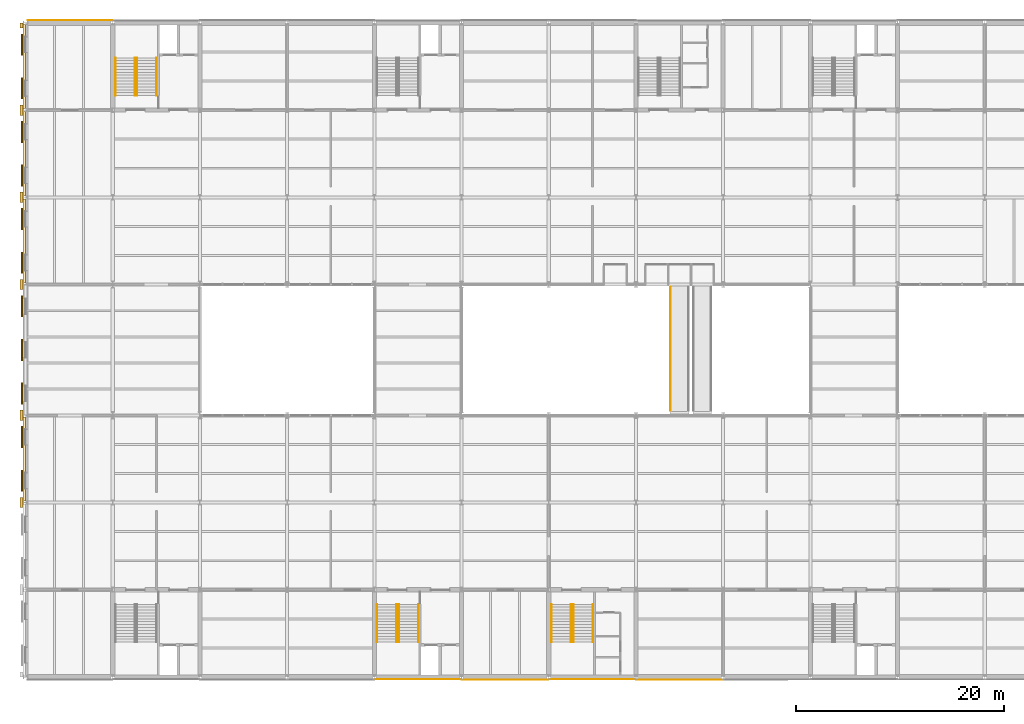
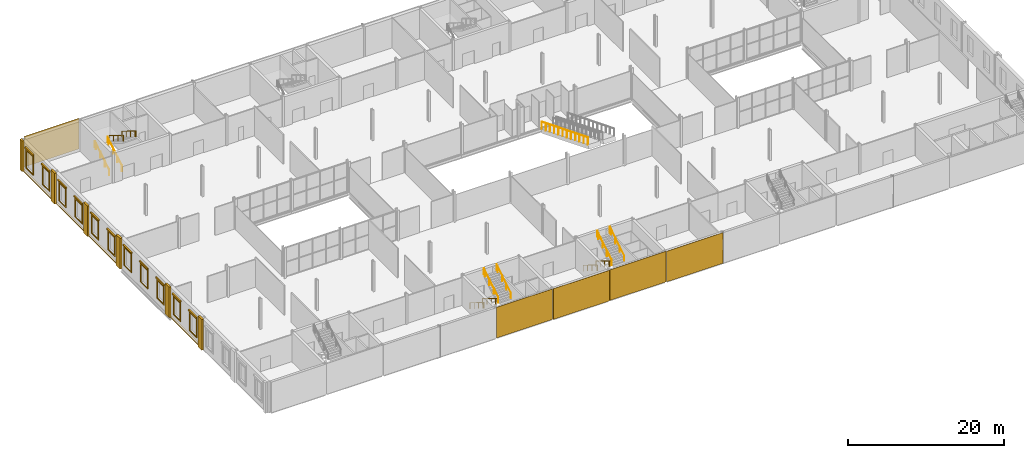
# One storey, part 39 of 52: 37 coverings, 13 railings.
"""IFC4 building model written with IfcOpenShell, lengths in metres."""

from ifc_helpers import new_model, si_unit, direction, frame, origin, origin_2d, place, context, subcontext, project, spatial, polyline, rectangle, circle, outline, extrude, material, layer, layer_set, type_object, element, save


model = new_model("IFC4")

# Units and contexts
model_context = context("Model", 3, precision=1e-05, world=origin(), true_north=direction((0.0, 1.0)))
body_context = subcontext(model_context, "Body", "Model", "MODEL_VIEW")
ifc_project = project(units=[si_unit("LENGTHUNIT", "METRE"), si_unit("AREAUNIT", "SQUARE_METRE"), si_unit("VOLUMEUNIT", "CUBIC_METRE"), si_unit("PLANEANGLEUNIT", "RADIAN"), si_unit("MASSUNIT", "GRAM", prefix="KILO")], contexts=[model_context])

# Site, building, storey
site_placement = place(None, origin())
site = spatial("IfcSite", under=ifc_project, at=site_placement, CompositionType="ELEMENT")
building_placement = place(site_placement, origin())
building = spatial("IfcBuilding", under=site, at=building_placement, Name="Galleria Vessillo Department Store", CompositionType="ELEMENT")
storey_placement = place(building_placement, frame((0.0, 0.0, 16.199951171875)))
storey = spatial("IfcBuildingStorey", under=building, at=storey_placement, Name="L03", CompositionType="ELEMENT", Elevation=16.199951171875)

# Railing
ifc_material_1 = material(Name="Glass laminated 44.2", Category="glass")
railing_type_1 = type_object("IfcRailingType", Name="Escalator balustrade glass 1150 mm", PredefinedType="BALUSTRADE", material=ifc_material_1)
railing_placement = place(storey_placement, frame((62.14990234375, 37.55712890625, -0.124755859375)))
element("IfcRailing", 1, at=railing_placement, inside=storey, type_object=railing_type_1, Name="Escalator balustrade ES7 W", PredefinedType="BALUSTRADE", context=body_context, shape_type="SweptSolid", body=[
    extrude(circle(Radius=0.02392578125, at=origin_2d()), frame((0.0, 0.0, 1.1259765625), z_axis=(0.0, -0.928203066198, 0.372074008633), x_axis=(1.0, 0.0, 0.0)), (0.0, 0.0, 1.0), 12.810791015625),
    extrude(circle(Radius=0.02099609375, at=origin_2d()), origin(), (0.0, 0.0, 1.0), 1.101806640625),
    extrude(circle(Radius=0.02099609375, at=origin_2d()), frame((0.0, -1.0810546875, 0.433349609375)), (0.0, 0.0, 1.0), 1.101806640625),
    extrude(circle(Radius=0.02099609375, at=origin_2d()), frame((0.0, -2.162109375, 0.86669921875)), (0.0, 0.0, 1.0), 1.101806640625),
    extrude(circle(Radius=0.02099609375, at=origin_2d()), frame((0.0, -3.242919921875, 1.300048828125)), (0.0, 0.0, 1.0), 1.101806640625),
    extrude(circle(Radius=0.02099609375, at=origin_2d()), frame((0.0, -4.323974609375, 1.7333984375)), (0.0, 0.0, 1.0), 1.101806640625),
    extrude(circle(Radius=0.02099609375, at=origin_2d()), frame((0.0, -5.405029296875, 2.166748046875)), (0.0, 0.0, 1.0), 1.101806640625),
    extrude(circle(Radius=0.02099609375, at=origin_2d()), frame((0.0, -6.486083984375, 2.599853515625)), (0.0, 0.0, 1.0), 1.101806640625),
    extrude(circle(Radius=0.02099609375, at=origin_2d()), frame((0.0, -7.567138671875, 3.033203125)), (0.0, 0.0, 1.0), 1.101806640625),
    extrude(circle(Radius=0.02099609375, at=origin_2d()), frame((0.0, -8.648193359375, 3.466552734375)), (0.0, 0.0, 1.0), 1.101806640625),
    extrude(circle(Radius=0.02099609375, at=origin_2d()), frame((0.0, -9.72900390625, 3.89990234375)), (0.0, 0.0, 1.0), 1.101806640625),
    extrude(circle(Radius=0.02099609375, at=origin_2d()), frame((0.0, -10.81005859375, 4.333251953125)), (0.0, 0.0, 1.0), 1.101806640625),
    extrude(circle(Radius=0.02099609375, at=origin_2d()), frame((0.0, -11.89111328125, 4.7666015625)), (0.0, 0.0, 1.0), 1.101806640625),
])

# Coverings
ifc_material_2 = material(Name="Lime plaster (intonaco) ochre")
ifc_layer_1 = layer(ifc_material_2, 0.030029296875)
ifc_layer_set_1 = layer_set([ifc_layer_1], Name="Lime plaster (intonaco) ochre")
covering_type_1 = type_object("IfcCoveringType", Name="Lime plaster render 30 mm", PredefinedType="CLADDING", material=ifc_layer_set_1)
covering_1_placement = place(storey_placement, frame((37.800048828125, -0.215087890625, 0.0), z_axis=(0.0, 0.0, 1.0), x_axis=(1.0, 0.0, 0.0)))
element("IfcCovering", 2, at=covering_1_placement, inside=storey, type_object=covering_type_1, Name="Wall cladding S-CW-PC-SM-PARTY-L03", PredefinedType="CLADDING", context=body_context, shape_type="SweptSolid", body=[
    extrude(rectangle(XDim=8.33984375, YDim=0.030029296875, at=origin_2d()), origin(), (0.0, 0.0, 1.0), 4.800048828125),
])
for number, where, z_axis, x_axis, name in (
    (3, (46.199951171875, -0.264892578125, 0.0), (0.0, 0.0, 1.0), (1.0, 0.0, 0.0), "Wall cladding S-PS-L03-04"),
    (4, (54.599853515625, -0.215087890625, 0.0), (0.0, 0.0, 1.0), (1.0, 0.0, 0.0), "Wall cladding S-CW-PC-SC-PARTY-L03"),
    (5, (63.0, -0.264892578125, 0.0), (0.0, 0.0, 1.0), (1.0, 0.0, 0.0), "Wall cladding S-PS-L03-05"),
):
    element("IfcCovering", number, at=place(storey_placement, frame(where, z_axis=z_axis, x_axis=x_axis)), inside=storey, type_object=covering_type_1, Name=name, PredefinedType="CLADDING", context=body_context, shape_type="SweptSolid", body=[
        extrude(rectangle(XDim=8.340087890625, YDim=0.030029296875, at=origin_2d()), origin(), (0.0, 0.0, 1.0), 4.800048828125),
    ])
covering_2_placement = place(storey_placement, frame((4.284912109375, 63.264892578125, 0.0), z_axis=(0.0, 0.0, 1.0), x_axis=(1.0, 0.0, 0.0)))
element("IfcCovering", 6, at=covering_2_placement, inside=storey, type_object=covering_type_1, Name="Wall cladding S-PN-L03-01", PredefinedType="CLADDING", context=body_context, shape_type="SweptSolid", body=[
    extrude(rectangle(XDim=8.170166015625, YDim=0.030029296875, at=origin_2d()), origin(), (0.0, 0.0, 1.0), 4.800048828125),
])
ifc_material_3 = material(Name="Botticino limestone ashlar", Category="masonry")
ifc_layer_2 = layer(ifc_material_3, 0.280029296875)
ifc_layer_set_2 = layer_set([ifc_layer_2], Name="Botticino limestone ashlar")
covering_type_2 = type_object("IfcCoveringType", Name="Limestone giant pilaster 1000 x 280", PredefinedType="CLADDING", material=ifc_layer_set_2)
for number, where, z_axis, x_axis, name in (
    (7, (-0.389892578125, 16.800048828125, 0.0), (0.0, 0.0, 1.0), (1.0, 0.0, 0.0), "Giant pilaster W L03 y=16.8"),
    (8, (-0.389892578125, 25.199951171875, 0.0), (0.0, 0.0, 1.0), (1.0, 0.0, 0.0), "Giant pilaster W L03 y=25.2"),
    (9, (-0.389892578125, 37.800048828125, 0.0), (0.0, 0.0, 1.0), (1.0, 0.0, 0.0), "Giant pilaster W L03 y=37.8"),
    (10, (-0.389892578125, 46.199951171875, 0.0), (0.0, 0.0, 1.0), (1.0, 0.0, 0.0), "Giant pilaster W L03 y=46.2"),
    (11, (-0.389892578125, 54.60009765625, 0.0), (0.0, 0.0, 1.0), (1.0, 0.0, 0.0), "Giant pilaster W L03 y=54.6"),
):
    element("IfcCovering", number, at=place(storey_placement, frame(where, z_axis=z_axis, x_axis=x_axis)), inside=storey, type_object=covering_type_2, Name=name, PredefinedType="CLADDING", context=body_context, shape_type="SweptSolid", body=[
        extrude(rectangle(XDim=0.280029296875, YDim=1.0, at=origin_2d()), origin(), (0.0, 0.0, 1.0), 4.800048828125),
    ])
covering_3_placement = place(storey_placement, frame((-0.389892578125, 62.75, 0.0), z_axis=(0.0, 0.0, 1.0), x_axis=(1.0, 0.0, 0.0)))
element("IfcCovering", 12, at=covering_3_placement, inside=storey, type_object=covering_type_2, Name="Giant pilaster W L03 y=63.0", PredefinedType="CLADDING", context=body_context, shape_type="SweptSolid", body=[
    extrude(rectangle(XDim=0.280029296875, YDim=0.5, at=origin_2d()), origin(), (0.0, 0.0, 1.0), 4.800048828125),
])
ifc_material_4 = material(Name="Botticino limestone ashlar", Category="masonry")
ifc_layer_3 = layer(ifc_material_4, 0.14990234375)
ifc_layer_set_3 = layer_set([ifc_layer_3], Name="Botticino limestone ashlar")
covering_type_3 = type_object("IfcCoveringType", Name="Limestone slab-edge fascia 150 mm", PredefinedType="CLADDING", material=ifc_layer_set_3)
for number, where, z_axis, x_axis, name in (
    (13, (-0.125, 21.0, -0.14990234375), (0.0, 0.0, 1.0), (1.0, 0.0, 0.0), "Slab-edge fascia SW-L02-03"),
    (14, (-0.125, 42.0, -0.14990234375), (0.0, 0.0, 1.0), (1.0, 0.0, 0.0), "Slab-edge fascia SW-N-L02-01"),
):
    element("IfcCovering", number, at=place(storey_placement, frame(where, z_axis=z_axis, x_axis=x_axis)), inside=storey, type_object=covering_type_3, Name=name, PredefinedType="CLADDING", context=body_context, shape_type="SweptSolid", body=[
        extrude(rectangle(XDim=0.25, YDim=8.099853515625, at=origin_2d()), origin(), (0.0, 0.0, 1.0), 0.14990234375),
    ])
covering_4_placement = place(storey_placement, frame((-0.125, 50.39990234375, -0.14990234375), z_axis=(0.0, 0.0, 1.0), x_axis=(1.0, 0.0, 0.0)))
element("IfcCovering", 15, at=covering_4_placement, inside=storey, type_object=covering_type_3, Name="Slab-edge fascia SW-N-L02-02", PredefinedType="CLADDING", context=body_context, shape_type="SweptSolid", body=[
    extrude(rectangle(XDim=0.25, YDim=8.10009765625, at=origin_2d()), origin(), (0.0, 0.0, 1.0), 0.14990234375),
])
covering_5_placement = place(storey_placement, frame((-0.125, 58.800048828125, -0.14990234375), z_axis=(0.0, 0.0, 1.0), x_axis=(1.0, 0.0, 0.0)))
element("IfcCovering", 16, at=covering_5_placement, inside=storey, type_object=covering_type_3, Name="Slab-edge fascia SW-N-L02-03", PredefinedType="CLADDING", context=body_context, shape_type="SweptSolid", body=[
    extrude(rectangle(XDim=0.25, YDim=8.099853515625, at=origin_2d()), origin(), (0.0, 0.0, 1.0), 0.14990234375),
])
ifc_material_5 = material(Name="Botticino limestone ashlar", Category="masonry")
ifc_layer_4 = layer(ifc_material_5, 0.199951171875)
ifc_layer_set_4 = layer_set([ifc_layer_4], Name="Botticino limestone ashlar")
covering_type_4 = type_object("IfcCoveringType", Name="Limestone window hood 200 mm", PredefinedType="MOLDING", material=ifc_layer_set_4)
covering_6_placement = place(storey_placement, frame((-0.25, 0.0, 1.0), z_axis=(-1.0, 0.0, 0.0), x_axis=(0.0, -1.0, 0.0)))
element("IfcCovering", 17, at=covering_6_placement, inside=storey, type_object=covering_type_4, Name="Window hood W017", PredefinedType="MOLDING", context=body_context, shape_type="SweptSolid", body=[
    extrude(outline(polyline([(-17.849853515625, 3.199951171875), (-19.949951171875, 3.199951171875), (-19.949951171875, 2.97998046875), (-17.849853515625, 2.97998046875), (-17.849853515625, 3.199951171875)])), origin(), (0.0, 0.0, 1.0), 0.199951171875),
])
covering_7_placement = place(storey_placement, frame((-0.25, 0.0, 1.0), z_axis=(-1.0, 0.0, 0.0), x_axis=(0.0, -1.0, 0.0)))
element("IfcCovering", 18, at=covering_7_placement, inside=storey, type_object=covering_type_4, Name="Window hood W018", PredefinedType="MOLDING", context=body_context, shape_type="SweptSolid", body=[
    extrude(outline(polyline([(-22.050048828125, 3.199951171875), (-24.150146484375, 3.199951171875), (-24.150146484375, 2.97998046875), (-22.050048828125, 2.97998046875), (-22.050048828125, 3.199951171875)])), origin(), (0.0, 0.0, 1.0), 0.199951171875),
])
covering_8_placement = place(storey_placement, frame((-0.25, 0.0, 1.0), z_axis=(-1.0, 0.0, 0.0), x_axis=(0.0, -1.0, 0.0)))
element("IfcCovering", 19, at=covering_8_placement, inside=storey, type_object=covering_type_4, Name="Window hood W019", PredefinedType="MOLDING", context=body_context, shape_type="SweptSolid", body=[
    extrude(outline(polyline([(-26.25, 3.199951171875), (-28.35009765625, 3.199951171875), (-28.35009765625, 2.97998046875), (-26.25, 2.97998046875), (-26.25, 3.199951171875)])), origin(), (0.0, 0.0, 1.0), 0.199951171875),
])
covering_9_placement = place(storey_placement, frame((-0.25, 0.0, 1.0), z_axis=(-1.0, 0.0, 0.0), x_axis=(0.0, -1.0, 0.0)))
element("IfcCovering", 20, at=covering_9_placement, inside=storey, type_object=covering_type_4, Name="Window hood W020", PredefinedType="MOLDING", context=body_context, shape_type="SweptSolid", body=[
    extrude(outline(polyline([(-30.449951171875, 3.199951171875), (-32.550048828125, 3.199951171875), (-32.550048828125, 2.97998046875), (-30.449951171875, 2.97998046875), (-30.449951171875, 3.199951171875)])), origin(), (0.0, 0.0, 1.0), 0.199951171875),
])
covering_10_placement = place(storey_placement, frame((-0.25, 0.0, 1.0), z_axis=(-1.0, 0.0, 0.0), x_axis=(0.0, -1.0, 0.0)))
element("IfcCovering", 21, at=covering_10_placement, inside=storey, type_object=covering_type_4, Name="Window hood W021", PredefinedType="MOLDING", context=body_context, shape_type="SweptSolid", body=[
    extrude(outline(polyline([(-34.64990234375, 3.199951171875), (-36.75, 3.199951171875), (-36.75, 2.97998046875), (-34.64990234375, 2.97998046875), (-34.64990234375, 3.199951171875)])), origin(), (0.0, 0.0, 1.0), 0.199951171875),
])
covering_11_placement = place(storey_placement, frame((-0.25, 0.0, 1.0), z_axis=(-1.0, 0.0, 0.0), x_axis=(0.0, -1.0, 0.0)))
element("IfcCovering", 22, at=covering_11_placement, inside=storey, type_object=covering_type_4, Name="Window hood W022", PredefinedType="MOLDING", context=body_context, shape_type="SweptSolid", body=[
    extrude(outline(polyline([(-38.849853515625, 3.199951171875), (-40.949951171875, 3.199951171875), (-40.949951171875, 2.97998046875), (-38.849853515625, 2.97998046875), (-38.849853515625, 3.199951171875)])), origin(), (0.0, 0.0, 1.0), 0.199951171875),
])
covering_12_placement = place(storey_placement, frame((-0.25, 0.0, 1.0), z_axis=(-1.0, 0.0, 0.0), x_axis=(0.0, -1.0, 0.0)))
element("IfcCovering", 23, at=covering_12_placement, inside=storey, type_object=covering_type_4, Name="Window hood W023", PredefinedType="MOLDING", context=body_context, shape_type="SweptSolid", body=[
    extrude(outline(polyline([(-43.050048828125, 3.199951171875), (-45.150146484375, 3.199951171875), (-45.150146484375, 2.97998046875), (-43.050048828125, 2.97998046875), (-43.050048828125, 3.199951171875)])), origin(), (0.0, 0.0, 1.0), 0.199951171875),
])
covering_13_placement = place(storey_placement, frame((-0.25, 0.0, 1.0), z_axis=(-1.0, 0.0, 0.0), x_axis=(0.0, -1.0, 0.0)))
element("IfcCovering", 24, at=covering_13_placement, inside=storey, type_object=covering_type_4, Name="Window hood W024", PredefinedType="MOLDING", context=body_context, shape_type="SweptSolid", body=[
    extrude(outline(polyline([(-47.25, 3.199951171875), (-49.35009765625, 3.199951171875), (-49.35009765625, 2.97998046875), (-47.25, 2.97998046875), (-47.25, 3.199951171875)])), origin(), (0.0, 0.0, 1.0), 0.199951171875),
])
covering_14_placement = place(storey_placement, frame((-0.25, 0.0, 1.0), z_axis=(-1.0, 0.0, 0.0), x_axis=(0.0, -1.0, 0.0)))
element("IfcCovering", 25, at=covering_14_placement, inside=storey, type_object=covering_type_4, Name="Window hood W025", PredefinedType="MOLDING", context=body_context, shape_type="SweptSolid", body=[
    extrude(outline(polyline([(-51.449951171875, 3.199951171875), (-53.550048828125, 3.199951171875), (-53.550048828125, 2.97998046875), (-51.449951171875, 2.97998046875), (-51.449951171875, 3.199951171875)])), origin(), (0.0, 0.0, 1.0), 0.199951171875),
])
covering_15_placement = place(storey_placement, frame((-0.25, 0.0, 1.0), z_axis=(-1.0, 0.0, 0.0), x_axis=(0.0, -1.0, 0.0)))
element("IfcCovering", 26, at=covering_15_placement, inside=storey, type_object=covering_type_4, Name="Window hood W026", PredefinedType="MOLDING", context=body_context, shape_type="SweptSolid", body=[
    extrude(outline(polyline([(-55.64990234375, 3.199951171875), (-57.75, 3.199951171875), (-57.75, 2.97998046875), (-55.64990234375, 2.97998046875), (-55.64990234375, 3.199951171875)])), origin(), (0.0, 0.0, 1.0), 0.199951171875),
])
covering_16_placement = place(storey_placement, frame((-0.25, 0.0, 1.0), z_axis=(-1.0, 0.0, 0.0), x_axis=(0.0, -1.0, 0.0)))
element("IfcCovering", 27, at=covering_16_placement, inside=storey, type_object=covering_type_4, Name="Window hood W027", PredefinedType="MOLDING", context=body_context, shape_type="SweptSolid", body=[
    extrude(outline(polyline([(-59.849853515625, 3.199951171875), (-61.949951171875, 3.199951171875), (-61.949951171875, 2.97998046875), (-59.849853515625, 2.97998046875), (-59.849853515625, 3.199951171875)])), origin(), (0.0, 0.0, 1.0), 0.199951171875),
])
ifc_material_6 = material(Name="Botticino limestone ashlar", Category="masonry")
ifc_layer_5 = layer(ifc_material_6, 0.10009765625)
ifc_layer_set_5 = layer_set([ifc_layer_5], Name="Botticino limestone ashlar")
covering_type_5 = type_object("IfcCoveringType", Name="Limestone window surround 100 mm", PredefinedType="CLADDING", material=ifc_layer_set_5)
covering_17_placement = place(storey_placement, frame((-0.25, 0.0, 1.0), z_axis=(-1.0, 0.0, 0.0), x_axis=(0.0, -1.0, 0.0)))
element("IfcCovering", 28, at=covering_17_placement, inside=storey, type_object=covering_type_5, Name="Window surround W017", PredefinedType="CLADDING", context=body_context, shape_type="SweptSolid", body=[
    extrude(outline(polyline([(-17.929931640625, 2.97998046875), (-19.869873046875, 2.97998046875), (-19.869873046875, -0.139892578125), (-17.929931640625, -0.139892578125), (-17.929931640625, 2.97998046875)]), holes=[polyline([(-18.14990234375, 2.699951171875), (-19.64990234375, 2.699951171875), (-19.64990234375, 0.0), (-18.14990234375, 0.0), (-18.14990234375, 2.699951171875)])]), origin(), (0.0, 0.0, 1.0), 0.10009765625),
])
covering_18_placement = place(storey_placement, frame((-0.25, 0.0, 1.0), z_axis=(-1.0, 0.0, 0.0), x_axis=(0.0, -1.0, 0.0)))
element("IfcCovering", 29, at=covering_18_placement, inside=storey, type_object=covering_type_5, Name="Window surround W018", PredefinedType="CLADDING", context=body_context, shape_type="SweptSolid", body=[
    extrude(outline(polyline([(-22.130126953125, 2.97998046875), (-24.070068359375, 2.97998046875), (-24.070068359375, -0.139892578125), (-22.130126953125, -0.139892578125), (-22.130126953125, 2.97998046875)]), holes=[polyline([(-22.35009765625, 2.699951171875), (-23.85009765625, 2.699951171875), (-23.85009765625, 0.0), (-22.35009765625, 0.0), (-22.35009765625, 2.699951171875)])]), origin(), (0.0, 0.0, 1.0), 0.10009765625),
])
covering_19_placement = place(storey_placement, frame((-0.25, 0.0, 1.0), z_axis=(-1.0, 0.0, 0.0), x_axis=(0.0, -1.0, 0.0)))
element("IfcCovering", 30, at=covering_19_placement, inside=storey, type_object=covering_type_5, Name="Window surround W019", PredefinedType="CLADDING", context=body_context, shape_type="SweptSolid", body=[
    extrude(outline(polyline([(-26.330078125, 2.97998046875), (-28.27001953125, 2.97998046875), (-28.27001953125, -0.139892578125), (-26.330078125, -0.139892578125), (-26.330078125, 2.97998046875)]), holes=[polyline([(-26.550048828125, 2.699951171875), (-28.050048828125, 2.699951171875), (-28.050048828125, 0.0), (-26.550048828125, 0.0), (-26.550048828125, 2.699951171875)])]), origin(), (0.0, 0.0, 1.0), 0.10009765625),
])
covering_20_placement = place(storey_placement, frame((-0.25, 0.0, 1.0), z_axis=(-1.0, 0.0, 0.0), x_axis=(0.0, -1.0, 0.0)))
element("IfcCovering", 31, at=covering_20_placement, inside=storey, type_object=covering_type_5, Name="Window surround W020", PredefinedType="CLADDING", context=body_context, shape_type="SweptSolid", body=[
    extrude(outline(polyline([(-30.530029296875, 2.97998046875), (-32.469970703125, 2.97998046875), (-32.469970703125, -0.139892578125), (-30.530029296875, -0.139892578125), (-30.530029296875, 2.97998046875)]), holes=[polyline([(-30.75, 2.699951171875), (-32.25, 2.699951171875), (-32.25, 0.0), (-30.75, 0.0), (-30.75, 2.699951171875)])]), origin(), (0.0, 0.0, 1.0), 0.10009765625),
])
covering_21_placement = place(storey_placement, frame((-0.25, 0.0, 1.0), z_axis=(-1.0, 0.0, 0.0), x_axis=(0.0, -1.0, 0.0)))
element("IfcCovering", 32, at=covering_21_placement, inside=storey, type_object=covering_type_5, Name="Window surround W021", PredefinedType="CLADDING", context=body_context, shape_type="SweptSolid", body=[
    extrude(outline(polyline([(-34.72998046875, 2.97998046875), (-36.669921875, 2.97998046875), (-36.669921875, -0.139892578125), (-34.72998046875, -0.139892578125), (-34.72998046875, 2.97998046875)]), holes=[polyline([(-34.949951171875, 2.699951171875), (-36.449951171875, 2.699951171875), (-36.449951171875, 0.0), (-34.949951171875, 0.0), (-34.949951171875, 2.699951171875)])]), origin(), (0.0, 0.0, 1.0), 0.10009765625),
])
covering_22_placement = place(storey_placement, frame((-0.25, 0.0, 1.0), z_axis=(-1.0, 0.0, 0.0), x_axis=(0.0, -1.0, 0.0)))
element("IfcCovering", 33, at=covering_22_placement, inside=storey, type_object=covering_type_5, Name="Window surround W022", PredefinedType="CLADDING", context=body_context, shape_type="SweptSolid", body=[
    extrude(outline(polyline([(-38.929931640625, 2.97998046875), (-40.869873046875, 2.97998046875), (-40.869873046875, -0.139892578125), (-38.929931640625, -0.139892578125), (-38.929931640625, 2.97998046875)]), holes=[polyline([(-39.14990234375, 2.699951171875), (-40.64990234375, 2.699951171875), (-40.64990234375, 0.0), (-39.14990234375, 0.0), (-39.14990234375, 2.699951171875)])]), origin(), (0.0, 0.0, 1.0), 0.10009765625),
])
covering_23_placement = place(storey_placement, frame((-0.25, 0.0, 1.0), z_axis=(-1.0, 0.0, 0.0), x_axis=(0.0, -1.0, 0.0)))
element("IfcCovering", 34, at=covering_23_placement, inside=storey, type_object=covering_type_5, Name="Window surround W023", PredefinedType="CLADDING", context=body_context, shape_type="SweptSolid", body=[
    extrude(outline(polyline([(-43.130126953125, 2.97998046875), (-45.070068359375, 2.97998046875), (-45.070068359375, -0.139892578125), (-43.130126953125, -0.139892578125), (-43.130126953125, 2.97998046875)]), holes=[polyline([(-43.35009765625, 2.699951171875), (-44.85009765625, 2.699951171875), (-44.85009765625, 0.0), (-43.35009765625, 0.0), (-43.35009765625, 2.699951171875)])]), origin(), (0.0, 0.0, 1.0), 0.10009765625),
])
covering_24_placement = place(storey_placement, frame((-0.25, 0.0, 1.0), z_axis=(-1.0, 0.0, 0.0), x_axis=(0.0, -1.0, 0.0)))
element("IfcCovering", 35, at=covering_24_placement, inside=storey, type_object=covering_type_5, Name="Window surround W024", PredefinedType="CLADDING", context=body_context, shape_type="SweptSolid", body=[
    extrude(outline(polyline([(-47.330078125, 2.97998046875), (-49.27001953125, 2.97998046875), (-49.27001953125, -0.139892578125), (-47.330078125, -0.139892578125), (-47.330078125, 2.97998046875)]), holes=[polyline([(-47.550048828125, 2.699951171875), (-49.050048828125, 2.699951171875), (-49.050048828125, 0.0), (-47.550048828125, 0.0), (-47.550048828125, 2.699951171875)])]), origin(), (0.0, 0.0, 1.0), 0.10009765625),
])
covering_25_placement = place(storey_placement, frame((-0.25, 0.0, 1.0), z_axis=(-1.0, 0.0, 0.0), x_axis=(0.0, -1.0, 0.0)))
element("IfcCovering", 36, at=covering_25_placement, inside=storey, type_object=covering_type_5, Name="Window surround W025", PredefinedType="CLADDING", context=body_context, shape_type="SweptSolid", body=[
    extrude(outline(polyline([(-51.530029296875, 2.97998046875), (-53.469970703125, 2.97998046875), (-53.469970703125, -0.139892578125), (-51.530029296875, -0.139892578125), (-51.530029296875, 2.97998046875)]), holes=[polyline([(-51.75, 2.699951171875), (-53.25, 2.699951171875), (-53.25, 0.0), (-51.75, 0.0), (-51.75, 2.699951171875)])]), origin(), (0.0, 0.0, 1.0), 0.10009765625),
])
covering_26_placement = place(storey_placement, frame((-0.25, 0.0, 1.0), z_axis=(-1.0, 0.0, 0.0), x_axis=(0.0, -1.0, 0.0)))
element("IfcCovering", 37, at=covering_26_placement, inside=storey, type_object=covering_type_5, Name="Window surround W026", PredefinedType="CLADDING", context=body_context, shape_type="SweptSolid", body=[
    extrude(outline(polyline([(-55.72998046875, 2.97998046875), (-57.669921875, 2.97998046875), (-57.669921875, -0.139892578125), (-55.72998046875, -0.139892578125), (-55.72998046875, 2.97998046875)]), holes=[polyline([(-55.949951171875, 2.699951171875), (-57.449951171875, 2.699951171875), (-57.449951171875, 0.0), (-55.949951171875, 0.0), (-55.949951171875, 2.699951171875)])]), origin(), (0.0, 0.0, 1.0), 0.10009765625),
])
covering_27_placement = place(storey_placement, frame((-0.25, 0.0, 1.0), z_axis=(-1.0, 0.0, 0.0), x_axis=(0.0, -1.0, 0.0)))
element("IfcCovering", 38, at=covering_27_placement, inside=storey, type_object=covering_type_5, Name="Window surround W027", PredefinedType="CLADDING", context=body_context, shape_type="SweptSolid", body=[
    extrude(outline(polyline([(-59.929931640625, 2.97998046875), (-61.869873046875, 2.97998046875), (-61.869873046875, -0.139892578125), (-59.929931640625, -0.139892578125), (-59.929931640625, 2.97998046875)]), holes=[polyline([(-60.14990234375, 2.699951171875), (-61.64990234375, 2.699951171875), (-61.64990234375, 0.0), (-60.14990234375, 0.0), (-60.14990234375, 2.699951171875)])]), origin(), (0.0, 0.0, 1.0), 0.10009765625),
])

# Railings
ifc_material_7 = material(Name="Stainless steel tube", Category="steel")
railing_type_2 = type_object("IfcRailingType", Name="Stair handrail steel tube 48 mm", PredefinedType="HANDRAIL", material=ifc_material_7)
for number, where, name in (
    (39, (8.66015625, 56.0, 0.17138671875), "Handrail ST2 L03 flight 1A"),
    (40, (10.5400390625, 56.0, 0.17138671875), "Handrail ST2 L03 flight 1B"),
):
    element("IfcRailing", number, at=place(storey_placement, frame(where)), inside=storey, type_object=railing_type_2, Name=name, PredefinedType="HANDRAIL", context=body_context, shape_type="SweptSolid", body=[
        extrude(circle(Radius=0.02392578125, at=origin_2d()), frame((0.0, 0.0, 0.89599609375), z_axis=(0.0, 0.852849614702, 0.52215661894), x_axis=(-1.0, 0.0, 0.0)), (0.0, 0.0, 1.0), 1.3134765625),
        extrude(circle(Radius=0.02392578125, at=origin_2d()), frame((0.0, 1.1201171875, 1.58154296875), z_axis=(0.0, 0.852798921012, 0.522239409008), x_axis=(-1.0, 0.0, 0.0)), (0.0, 0.0, 1.0), 1.313232421875),
        extrude(circle(Radius=0.02392578125, at=origin_2d()), frame((0.0, 2.239990234375, 2.267578125), z_axis=(0.0, 0.852932391421, 0.522021393877), x_axis=(-1.0, 0.0, 0.0)), (0.0, 0.0, 1.0), 1.313232421875),
        extrude(circle(Radius=0.02392578125, at=origin_2d()), frame((0.0, 3.360107421875, 2.953125), z_axis=(0.0, 0.852729557261, 0.522352660731), x_axis=(-1.0, 0.0, 0.0)), (0.0, 0.0, 1.0), 0.328125),
        extrude(circle(Radius=0.02099609375, at=origin_2d()), origin(), (0.0, 0.0, 1.0), 0.871826171875),
        extrude(circle(Radius=0.02099609375, at=origin_2d()), frame((0.0, 1.1201171875, 0.685791015625)), (0.0, 0.0, 1.0), 0.871826171875),
        extrude(circle(Radius=0.02099609375, at=origin_2d()), frame((0.0, 2.239990234375, 1.37158203125)), (0.0, 0.0, 1.0), 0.871826171875),
        extrude(circle(Radius=0.02099609375, at=origin_2d()), frame((0.0, 3.360107421875, 2.05712890625)), (0.0, 0.0, 1.0), 0.871826171875),
        extrude(circle(Radius=0.02099609375, at=origin_2d()), frame((0.0, 3.639892578125, 2.228515625)), (0.0, 0.0, 1.0), 0.871826171875),
    ])
for number, where, name in (
    (41, (12.639892578125, 59.639892578125, 2.571533203125), "Handrail ST2 L03 flight 2A"),
    (42, (10.760009765625, 59.639892578125, 2.571533203125), "Handrail ST2 L03 flight 2B"),
    (43, (35.739990234375, 7.0, 0.17138671875), "Handrail ST3 L03 flight 1A"),
    (44, (33.860107421875, 7.0, 0.17138671875), "Handrail ST3 L03 flight 1B"),
):
    element("IfcRailing", number, at=place(storey_placement, frame(where)), inside=storey, type_object=railing_type_2, Name=name, PredefinedType="HANDRAIL", context=body_context, shape_type="SweptSolid", body=[
        extrude(circle(Radius=0.02392578125, at=origin_2d()), frame((0.0, 0.0, 0.89599609375), z_axis=(0.0, -0.852849614702, 0.52215661894), x_axis=(1.0, 0.0, 0.0)), (0.0, 0.0, 1.0), 1.3134765625),
        extrude(circle(Radius=0.02392578125, at=origin_2d()), frame((0.0, -1.1201171875, 1.58154296875), z_axis=(0.0, -0.852798921012, 0.522239409008), x_axis=(1.0, 0.0, 0.0)), (0.0, 0.0, 1.0), 1.313232421875),
        extrude(circle(Radius=0.02392578125, at=origin_2d()), frame((0.0, -2.239990234375, 2.267578125), z_axis=(0.0, -0.852932391421, 0.522021393877), x_axis=(1.0, 0.0, 0.0)), (0.0, 0.0, 1.0), 1.313232421875),
        extrude(circle(Radius=0.02392578125, at=origin_2d()), frame((0.0, -3.360107421875, 2.953125), z_axis=(0.0, -0.852729557261, 0.522352660731), x_axis=(1.0, 0.0, 0.0)), (0.0, 0.0, 1.0), 0.328125),
        extrude(circle(Radius=0.02099609375, at=origin_2d()), origin(), (0.0, 0.0, 1.0), 0.871826171875),
        extrude(circle(Radius=0.02099609375, at=origin_2d()), frame((0.0, -1.1201171875, 0.685791015625)), (0.0, 0.0, 1.0), 0.871826171875),
        extrude(circle(Radius=0.02099609375, at=origin_2d()), frame((0.0, -2.239990234375, 1.37158203125)), (0.0, 0.0, 1.0), 0.871826171875),
        extrude(circle(Radius=0.02099609375, at=origin_2d()), frame((0.0, -3.360107421875, 2.05712890625)), (0.0, 0.0, 1.0), 0.871826171875),
        extrude(circle(Radius=0.02099609375, at=origin_2d()), frame((0.0, -3.639892578125, 2.228515625)), (0.0, 0.0, 1.0), 0.871826171875),
    ])
for number, where, name in (
    (45, (35.9599609375, 3.360107421875, 2.571533203125), "Handrail ST3 L03 flight 2A"),
    (46, (37.83984375, 3.360107421875, 2.571533203125), "Handrail ST3 L03 flight 2B"),
):
    element("IfcRailing", number, at=place(storey_placement, frame(where)), inside=storey, type_object=railing_type_2, Name=name, PredefinedType="HANDRAIL", context=body_context, shape_type="SweptSolid", body=[
        extrude(circle(Radius=0.02392578125, at=origin_2d()), frame((0.0, 0.0, 0.89599609375), z_axis=(0.0, 0.852849614702, 0.52215661894), x_axis=(-1.0, 0.0, 0.0)), (0.0, 0.0, 1.0), 1.3134765625),
        extrude(circle(Radius=0.02392578125, at=origin_2d()), frame((0.0, 1.1201171875, 1.58154296875), z_axis=(0.0, 0.852798921012, 0.522239409008), x_axis=(-1.0, 0.0, 0.0)), (0.0, 0.0, 1.0), 1.313232421875),
        extrude(circle(Radius=0.02392578125, at=origin_2d()), frame((0.0, 2.239990234375, 2.267578125), z_axis=(0.0, 0.852932391421, 0.522021393877), x_axis=(-1.0, 0.0, 0.0)), (0.0, 0.0, 1.0), 1.313232421875),
        extrude(circle(Radius=0.02392578125, at=origin_2d()), frame((0.0, 3.360107421875, 2.953125), z_axis=(0.0, 0.852729557261, 0.522352660731), x_axis=(-1.0, 0.0, 0.0)), (0.0, 0.0, 1.0), 0.328125),
        extrude(circle(Radius=0.02099609375, at=origin_2d()), origin(), (0.0, 0.0, 1.0), 0.871826171875),
        extrude(circle(Radius=0.02099609375, at=origin_2d()), frame((0.0, 1.1201171875, 0.685791015625)), (0.0, 0.0, 1.0), 0.871826171875),
        extrude(circle(Radius=0.02099609375, at=origin_2d()), frame((0.0, 2.239990234375, 1.37158203125)), (0.0, 0.0, 1.0), 0.871826171875),
        extrude(circle(Radius=0.02099609375, at=origin_2d()), frame((0.0, 3.360107421875, 2.05712890625)), (0.0, 0.0, 1.0), 0.871826171875),
        extrude(circle(Radius=0.02099609375, at=origin_2d()), frame((0.0, 3.639892578125, 2.228515625)), (0.0, 0.0, 1.0), 0.871826171875),
    ])
for number, where, name in (
    (47, (52.5400390625, 7.0, 0.17138671875), "Handrail ST10 L03 flight 1A"),
    (48, (50.66015625, 7.0, 0.17138671875), "Handrail ST10 L03 flight 1B"),
):
    element("IfcRailing", number, at=place(storey_placement, frame(where)), inside=storey, type_object=railing_type_2, Name=name, PredefinedType="HANDRAIL", context=body_context, shape_type="SweptSolid", body=[
        extrude(circle(Radius=0.02392578125, at=origin_2d()), frame((0.0, 0.0, 0.89599609375), z_axis=(0.0, -0.852849614702, 0.52215661894), x_axis=(1.0, 0.0, 0.0)), (0.0, 0.0, 1.0), 1.3134765625),
        extrude(circle(Radius=0.02392578125, at=origin_2d()), frame((0.0, -1.1201171875, 1.58154296875), z_axis=(0.0, -0.852798921012, 0.522239409008), x_axis=(1.0, 0.0, 0.0)), (0.0, 0.0, 1.0), 1.313232421875),
        extrude(circle(Radius=0.02392578125, at=origin_2d()), frame((0.0, -2.239990234375, 2.267578125), z_axis=(0.0, -0.852932391421, 0.522021393877), x_axis=(1.0, 0.0, 0.0)), (0.0, 0.0, 1.0), 1.313232421875),
        extrude(circle(Radius=0.02392578125, at=origin_2d()), frame((0.0, -3.360107421875, 2.953125), z_axis=(0.0, -0.852729557261, 0.522352660731), x_axis=(1.0, 0.0, 0.0)), (0.0, 0.0, 1.0), 0.328125),
        extrude(circle(Radius=0.02099609375, at=origin_2d()), origin(), (0.0, 0.0, 1.0), 0.871826171875),
        extrude(circle(Radius=0.02099609375, at=origin_2d()), frame((0.0, -1.1201171875, 0.685791015625)), (0.0, 0.0, 1.0), 0.871826171875),
        extrude(circle(Radius=0.02099609375, at=origin_2d()), frame((0.0, -2.239990234375, 1.37158203125)), (0.0, 0.0, 1.0), 0.871826171875),
        extrude(circle(Radius=0.02099609375, at=origin_2d()), frame((0.0, -3.360107421875, 2.05712890625)), (0.0, 0.0, 1.0), 0.871826171875),
        extrude(circle(Radius=0.02099609375, at=origin_2d()), frame((0.0, -3.639892578125, 2.228515625)), (0.0, 0.0, 1.0), 0.871826171875),
    ])
for number, where, name in (
    (49, (52.760009765625, 3.360107421875, 2.571533203125), "Handrail ST10 L03 flight 2A"),
    (50, (54.639892578125, 3.360107421875, 2.571533203125), "Handrail ST10 L03 flight 2B"),
):
    element("IfcRailing", number, at=place(storey_placement, frame(where)), inside=storey, type_object=railing_type_2, Name=name, PredefinedType="HANDRAIL", context=body_context, shape_type="SweptSolid", body=[
        extrude(circle(Radius=0.02392578125, at=origin_2d()), frame((0.0, 0.0, 0.89599609375), z_axis=(0.0, 0.852849614702, 0.52215661894), x_axis=(-1.0, 0.0, 0.0)), (0.0, 0.0, 1.0), 1.3134765625),
        extrude(circle(Radius=0.02392578125, at=origin_2d()), frame((0.0, 1.1201171875, 1.58154296875), z_axis=(0.0, 0.852798921012, 0.522239409008), x_axis=(-1.0, 0.0, 0.0)), (0.0, 0.0, 1.0), 1.313232421875),
        extrude(circle(Radius=0.02392578125, at=origin_2d()), frame((0.0, 2.239990234375, 2.267578125), z_axis=(0.0, 0.852932391421, 0.522021393877), x_axis=(-1.0, 0.0, 0.0)), (0.0, 0.0, 1.0), 1.313232421875),
        extrude(circle(Radius=0.02392578125, at=origin_2d()), frame((0.0, 3.360107421875, 2.953125), z_axis=(0.0, 0.852729557261, 0.522352660731), x_axis=(-1.0, 0.0, 0.0)), (0.0, 0.0, 1.0), 0.328125),
        extrude(circle(Radius=0.02099609375, at=origin_2d()), origin(), (0.0, 0.0, 1.0), 0.871826171875),
        extrude(circle(Radius=0.02099609375, at=origin_2d()), frame((0.0, 1.1201171875, 0.685791015625)), (0.0, 0.0, 1.0), 0.871826171875),
        extrude(circle(Radius=0.02099609375, at=origin_2d()), frame((0.0, 2.239990234375, 1.37158203125)), (0.0, 0.0, 1.0), 0.871826171875),
        extrude(circle(Radius=0.02099609375, at=origin_2d()), frame((0.0, 3.360107421875, 2.05712890625)), (0.0, 0.0, 1.0), 0.871826171875),
        extrude(circle(Radius=0.02099609375, at=origin_2d()), frame((0.0, 3.639892578125, 2.228515625)), (0.0, 0.0, 1.0), 0.871826171875),
    ])

save(model, "model.ifc")
